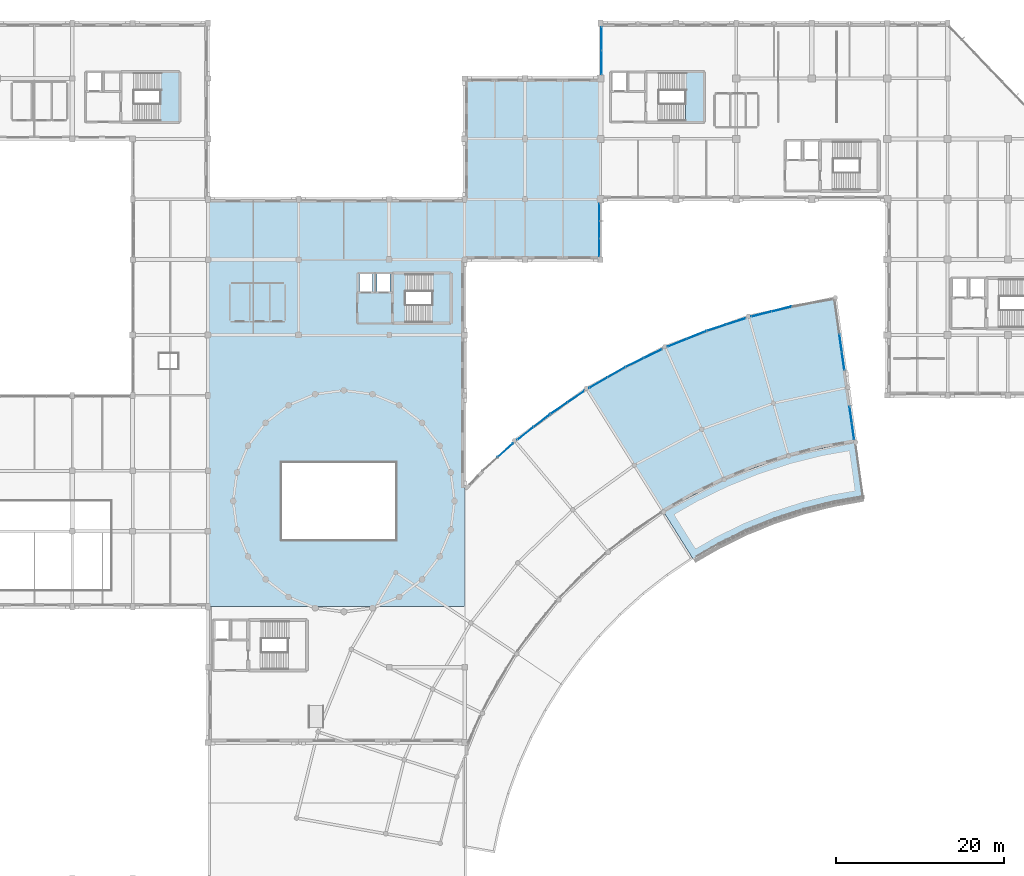
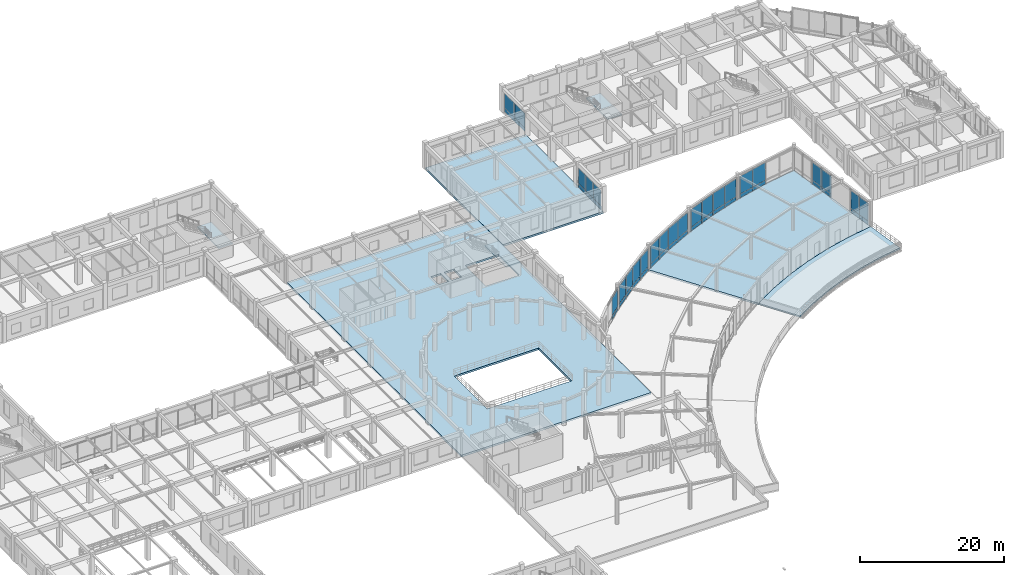
# One storey, part 33 of 62: 48 plates, 7 slabs, 15 elements without a shape of their own.
"""IFC4 building model written with IfcOpenShell, lengths in metres."""

from ifc_helpers import new_model, si_unit, direction, frame, frame_2d, origin, place, context, subcontext, project, spatial, polyline, rectangle, outline, extrude, material, layer, layer_set, type_object, element, aggregate, save


model = new_model("IFC4")

# Units and contexts
model_context = context("Model", 3, precision=1e-05, world=origin(), true_north=direction((0.0, 1.0)))
body_context = subcontext(model_context, "Body", "Model", "MODEL_VIEW")
ifc_project = project(units=[si_unit("LENGTHUNIT", "METRE"), si_unit("AREAUNIT", "SQUARE_METRE"), si_unit("VOLUMEUNIT", "CUBIC_METRE"), si_unit("PLANEANGLEUNIT", "RADIAN"), si_unit("MASSUNIT", "GRAM", prefix="KILO")], contexts=[model_context])

# Site, building, storey
site_placement = place(None, origin())
site = spatial("IfcSite", under=ifc_project, at=site_placement, CompositionType="ELEMENT")
building_placement = place(site_placement, origin())
building = spatial("IfcBuilding", under=site, at=building_placement, Name="Clarverna Civic Hall", CompositionType="ELEMENT")
storey_placement = place(building_placement, frame((0.0, 0.0, 5.10009765625)))
storey = spatial("IfcBuildingStorey", under=building, at=storey_placement, Name="L01", CompositionType="ELEMENT", Elevation=5.10009765625)

# Curtain wall, plates
ifc_material_1 = material(Name="Anodised Bronze Architectural Aluminium", Category="aluminium")
curtain_wall_type_1 = type_object("IfcCurtainWallType", Name="CW-01", PredefinedType="USERDEFINED", material=ifc_material_1)
curtain_wall_1_placement = place(storey_placement, origin())
curtain_wall_1 = element("IfcCurtainWall", 1, at=curtain_wall_1_placement, inside=storey, type_object=curtain_wall_type_1, Name="CW-01-001", ObjectType="UNITISED CURTAIN WALL", PredefinedType="USERDEFINED")
ifc_material_2 = material(Name="Solar-Control Argon Low-E Double Glazing", Category="glass")
ifc_layer_1 = layer(ifc_material_2, 0.031982421875)
ifc_layer_set_1 = layer_set([ifc_layer_1], Name="Solar-Control Argon Low-E Double Glazing")
plate_type_1 = type_object("IfcPlateType", Name="CWP-01", PredefinedType="CURTAIN_PANEL", material=ifc_layer_set_1)
plate_1_placement = place(storey_placement, frame((113.5400390625, 109.9130859375, 0.764892578125), z_axis=(0.0, 0.0, 1.0), x_axis=(0.0, 1.0, 0.0)))
plate_1 = element("IfcPlate", 2, at=plate_1_placement, type_object=plate_type_1, Name="CWP-01-103", PredefinedType="CURTAIN_PANEL", context=body_context, shape_type="SweptSolid", body=[
    extrude(rectangle(XDim=2.796875, YDim=0.031982421875, at=frame_2d((1.3984375, 0.0))), origin(), (0.0, 0.0, 1.0), 2.445068359375),
])
plate_2_placement = place(storey_placement, frame((113.5400390625, 112.739990234375, 0.764892578125), z_axis=(0.0, 0.0, 1.0), x_axis=(0.0, 1.0, 0.0)))
plate_2 = element("IfcPlate", 3, at=plate_2_placement, type_object=plate_type_1, Name="CWP-01-104", PredefinedType="CURTAIN_PANEL", context=body_context, shape_type="SweptSolid", body=[
    extrude(rectangle(XDim=2.797119140625, YDim=0.031982421875, at=frame_2d((1.3984375, 0.0))), origin(), (0.0, 0.0, 1.0), 2.445068359375),
])

curtain_wall_2_placement = place(storey_placement, origin())
curtain_wall_2 = element("IfcCurtainWall", 4, at=curtain_wall_2_placement, inside=storey, type_object=curtain_wall_type_1, Name="CW-01-014", ObjectType="UNITISED CURTAIN WALL", PredefinedType="USERDEFINED")
plate_3_placement = place(storey_placement, frame((113.260009765625, 94.487060546875, 0.764892578125), z_axis=(0.0, 0.0, 1.0), x_axis=(0.0, -1.0, 0.0)))
plate_3 = element("IfcPlate", 5, at=plate_3_placement, type_object=plate_type_1, Name="CWP-01-129", PredefinedType="CURTAIN_PANEL", context=body_context, shape_type="SweptSolid", body=[
    extrude(rectangle(XDim=2.0712890625, YDim=0.031982421875, at=frame_2d((1.03564453125, 0.0))), origin(), (0.0, 0.0, 1.0), 2.625),
])
plate_4_placement = place(storey_placement, frame((113.260009765625, 92.3857421875, 0.764892578125), z_axis=(0.0, 0.0, 1.0), x_axis=(0.0, -1.0, 0.0)))
plate_4 = element("IfcPlate", 6, at=plate_4_placement, type_object=plate_type_1, Name="CWP-01-130", PredefinedType="CURTAIN_PANEL", context=body_context, shape_type="SweptSolid", body=[
    extrude(rectangle(XDim=2.071533203125, YDim=0.031982421875, at=frame_2d((1.03564453125, 0.0))), origin(), (0.0, 0.0, 1.0), 2.625),
])
plate_5_placement = place(storey_placement, frame((113.260009765625, 90.2841796875, 0.764892578125), z_axis=(0.0, 0.0, 1.0), x_axis=(0.0, -1.0, 0.0)))
plate_5 = element("IfcPlate", 7, at=plate_5_placement, type_object=plate_type_1, Name="CWP-01-131", PredefinedType="CURTAIN_PANEL", context=body_context, shape_type="SweptSolid", body=[
    extrude(rectangle(XDim=2.0712890625, YDim=0.031982421875, at=frame_2d((1.03564453125, 0.0))), origin(), (0.0, 0.0, 1.0), 2.625),
])

# Curtain wall, plate
curtain_wall_type_2 = type_object("IfcCurtainWallType", Name="CW-03", PredefinedType="USERDEFINED", material=ifc_material_1)
curtain_wall_3_placement = place(storey_placement, origin())
curtain_wall_3 = element("IfcCurtainWall", 8, at=curtain_wall_3_placement, inside=storey, type_object=curtain_wall_type_2, Name="CW-03-027", ObjectType="UNITISED CURTAIN WALL", PredefinedType="USERDEFINED")
plate_6_placement = place(storey_placement, frame((101.164794921875, 64.2451171875, 0.764892578125), z_axis=(0.0, 0.0, 1.0), x_axis=(0.743134378248, 0.669142209001, 0.0)))
plate_6 = element("IfcPlate", 9, at=plate_6_placement, type_object=plate_type_1, Name="CWP-01-133", PredefinedType="CURTAIN_PANEL", context=body_context, shape_type="SweptSolid", body=[
    extrude(rectangle(XDim=2.431884765625, YDim=0.031982421875, at=frame_2d((1.2158203125, 0.0))), origin(), (0.0, 0.0, 1.0), 3.014892578125),
])

# Curtain wall, plates
curtain_wall_4_placement = place(storey_placement, origin())
curtain_wall_4 = element("IfcCurtainWall", 10, at=curtain_wall_4_placement, inside=storey, type_object=curtain_wall_type_2, Name="CW-03-028", ObjectType="UNITISED CURTAIN WALL", PredefinedType="USERDEFINED")
plate_7_placement = place(storey_placement, frame((103.5009765625, 66.3173828125, 0.764892578125), z_axis=(0.0, 0.0, 1.0), x_axis=(0.787989543088, 0.615688622588, 0.0)))
plate_7 = element("IfcPlate", 11, at=plate_7_placement, type_object=plate_type_1, Name="CWP-01-134", PredefinedType="CURTAIN_PANEL", context=body_context, shape_type="SweptSolid", body=[
    extrude(rectangle(XDim=2.4443359375, YDim=0.031982421875, at=frame_2d((1.22216796875, 0.0))), origin(), (0.0, 0.0, 1.0), 3.014892578125),
])
plate_8_placement = place(storey_placement, frame((105.45068359375, 67.8408203125, 0.764892578125), z_axis=(0.0, 0.0, 1.0), x_axis=(0.788038003256, 0.615626595774, 0.0)))
plate_8 = element("IfcPlate", 12, at=plate_8_placement, type_object=plate_type_1, Name="CWP-01-135", PredefinedType="CURTAIN_PANEL", context=body_context, shape_type="SweptSolid", body=[
    extrude(rectangle(XDim=2.444091796875, YDim=0.031982421875, at=frame_2d((1.22216796875, 0.0))), origin(), (0.0, 0.0, 1.0), 3.014892578125),
])

curtain_wall_5_placement = place(storey_placement, origin())
curtain_wall_5 = element("IfcCurtainWall", 13, at=curtain_wall_5_placement, inside=storey, type_object=curtain_wall_type_2, Name="CW-03-029", ObjectType="UNITISED CURTAIN WALL", PredefinedType="USERDEFINED")
plate_9_placement = place(storey_placement, frame((107.4462890625, 69.39599609375, 0.764892578125), z_axis=(0.0, 0.0, 1.0), x_axis=(0.82901646408, 0.559224196798, 0.0)))
plate_9 = element("IfcPlate", 14, at=plate_9_placement, type_object=plate_type_1, Name="CWP-01-136", PredefinedType="CURTAIN_PANEL", context=body_context, shape_type="SweptSolid", body=[
    extrude(rectangle(XDim=2.41162109375, YDim=0.031982421875, at=frame_2d((1.205810546875, 0.0))), origin(), (0.0, 0.0, 1.0), 3.014892578125),
])
plate_10_placement = place(storey_placement, frame((109.470458984375, 70.76123046875, 0.764892578125), z_axis=(0.0, 0.0, 1.0), x_axis=(0.82901646408, 0.559224196798, 0.0)))
plate_10 = element("IfcPlate", 15, at=plate_10_placement, type_object=plate_type_1, Name="CWP-01-137", PredefinedType="CURTAIN_PANEL", context=body_context, shape_type="SweptSolid", body=[
    extrude(rectangle(XDim=2.41162109375, YDim=0.031982421875, at=frame_2d((1.205810546875, 0.0))), origin(), (0.0, 0.0, 1.0), 3.014892578125),
])

curtain_wall_6_placement = place(storey_placement, origin())
curtain_wall_6 = element("IfcCurtainWall", 16, at=curtain_wall_6_placement, inside=storey, type_object=curtain_wall_type_2, Name="CW-03-030", ObjectType="UNITISED CURTAIN WALL", PredefinedType="USERDEFINED")
plate_11_placement = place(storey_placement, frame((112.082763671875, 72.495849609375, 0.764892578125), z_axis=(0.0, 0.0, 1.0), x_axis=(0.86598793266, 0.500064896275, 0.0)))
plate_11 = element("IfcPlate", 17, at=plate_11_placement, type_object=plate_type_1, Name="CWP-01-138", PredefinedType="CURTAIN_PANEL", context=body_context, shape_type="SweptSolid", body=[
    extrude(rectangle(XDim=2.447998046875, YDim=0.031982421875, at=frame_2d((1.22412109375, 0.0))), origin(), (0.0, 0.0, 1.0), 3.014892578125),
])
plate_12_placement = place(storey_placement, frame((114.228515625, 73.73486328125, 0.764892578125), z_axis=(0.0, 0.0, 1.0), x_axis=(0.866056051747, 0.499946912414, 0.0)))
plate_12 = element("IfcPlate", 18, at=plate_12_placement, type_object=plate_type_1, Name="CWP-01-139", PredefinedType="CURTAIN_PANEL", context=body_context, shape_type="SweptSolid", body=[
    extrude(rectangle(XDim=2.447998046875, YDim=0.031982421875, at=frame_2d((1.22412109375, 0.0))), origin(), (0.0, 0.0, 1.0), 3.014892578125),
])

curtain_wall_7_placement = place(storey_placement, origin())
curtain_wall_7 = element("IfcCurtainWall", 19, at=curtain_wall_7_placement, inside=storey, type_object=curtain_wall_type_2, Name="CW-03-031", ObjectType="UNITISED CURTAIN WALL", PredefinedType="USERDEFINED")
plate_13_placement = place(storey_placement, frame((116.4248046875, 74.999267578125, 0.764892578125), z_axis=(0.0, 0.0, 1.0), x_axis=(0.898795065251, 0.438369057621, 0.0)))
plate_13 = element("IfcPlate", 20, at=plate_13_placement, type_object=plate_type_1, Name="CWP-01-140", PredefinedType="CURTAIN_PANEL", context=body_context, shape_type="SweptSolid", body=[
    extrude(rectangle(XDim=2.379638671875, YDim=0.031982421875, at=frame_2d((1.18994140625, 0.0))), origin(), (0.0, 0.0, 1.0), 3.014892578125),
])
plate_14_placement = place(storey_placement, frame((118.5908203125, 76.0556640625, 0.764892578125), z_axis=(0.0, 0.0, 1.0), x_axis=(0.898754642201, 0.43845192795, 0.0)))
plate_14 = element("IfcPlate", 21, at=plate_14_placement, type_object=plate_type_1, Name="CWP-01-141", PredefinedType="CURTAIN_PANEL", context=body_context, shape_type="SweptSolid", body=[
    extrude(rectangle(XDim=2.3798828125, YDim=0.031982421875, at=frame_2d((1.18994140625, 0.0))), origin(), (0.0, 0.0, 1.0), 3.014892578125),
])

curtain_wall_8_placement = place(storey_placement, origin())
curtain_wall_8 = element("IfcCurtainWall", 22, at=curtain_wall_8_placement, inside=storey, type_object=curtain_wall_type_2, Name="CW-03-032", ObjectType="UNITISED CURTAIN WALL", PredefinedType="USERDEFINED")
plate_15_placement = place(storey_placement, frame((121.447509765625, 77.423828125, 0.764892578125), z_axis=(0.0, 0.0, 1.0), x_axis=(0.927177888864, 0.37462135871, 0.0)))
plate_15 = element("IfcPlate", 23, at=plate_15_placement, type_object=plate_type_1, Name="CWP-01-142", PredefinedType="CURTAIN_PANEL", context=body_context, shape_type="SweptSolid", body=[
    extrude(rectangle(XDim=2.44775390625, YDim=0.031982421875, at=frame_2d((1.223876953125, 0.0))), origin(), (0.0, 0.0, 1.0), 3.014892578125),
])
plate_16_placement = place(storey_placement, frame((123.744873046875, 78.351806640625, 0.764892578125), z_axis=(0.0, 0.0, 1.0), x_axis=(0.927177888864, 0.37462135871, 0.0)))
plate_16 = element("IfcPlate", 24, at=plate_16_placement, type_object=plate_type_1, Name="CWP-01-143", PredefinedType="CURTAIN_PANEL", context=body_context, shape_type="SweptSolid", body=[
    extrude(rectangle(XDim=2.44775390625, YDim=0.031982421875, at=frame_2d((1.223876953125, 0.0))), origin(), (0.0, 0.0, 1.0), 3.014892578125),
])

curtain_wall_9_placement = place(storey_placement, origin())
curtain_wall_9 = element("IfcCurtainWall", 25, at=curtain_wall_9_placement, inside=storey, type_object=curtain_wall_type_2, Name="CW-03-033", ObjectType="UNITISED CURTAIN WALL", PredefinedType="USERDEFINED")
plate_17_placement = place(storey_placement, frame((126.095458984375, 79.29833984375, 0.764892578125), z_axis=(0.0, 0.0, 1.0), x_axis=(0.951055736875, 0.309019393175, 0.0)))
plate_17 = element("IfcPlate", 26, at=plate_17_placement, type_object=plate_type_1, Name="CWP-01-144", PredefinedType="CURTAIN_PANEL", context=body_context, shape_type="SweptSolid", body=[
    extrude(rectangle(XDim=2.40087890625, YDim=0.031982421875, at=frame_2d((1.200439453125, 0.0))), origin(), (0.0, 0.0, 1.0), 3.014892578125),
])
plate_18_placement = place(storey_placement, frame((128.407470703125, 80.049560546875, 0.764892578125), z_axis=(0.0, 0.0, 1.0), x_axis=(0.951055736875, 0.309019393175, 0.0)))
plate_18 = element("IfcPlate", 27, at=plate_18_placement, type_object=plate_type_1, Name="CWP-01-145", PredefinedType="CURTAIN_PANEL", context=body_context, shape_type="SweptSolid", body=[
    extrude(rectangle(XDim=2.40087890625, YDim=0.031982421875, at=frame_2d((1.200439453125, 0.0))), origin(), (0.0, 0.0, 1.0), 3.014892578125),
])

curtain_wall_10_placement = place(storey_placement, origin())
curtain_wall_10 = element("IfcCurtainWall", 28, at=curtain_wall_10_placement, inside=storey, type_object=curtain_wall_type_2, Name="CW-03-034", ObjectType="UNITISED CURTAIN WALL", PredefinedType="USERDEFINED")
plate_19_placement = place(storey_placement, frame((131.4130859375, 81.001708984375, 0.764892578125), z_axis=(0.0, 0.0, 1.0), x_axis=(0.970277473447, 0.241995091936, 0.0)))
plate_19 = element("IfcPlate", 29, at=plate_19_placement, type_object=plate_type_1, Name="CWP-01-146", PredefinedType="CURTAIN_PANEL", context=body_context, shape_type="SweptSolid", body=[
    extrude(rectangle(XDim=2.444580078125, YDim=0.031982421875, at=frame_2d((1.22216796875, 0.0))), origin(), (0.0, 0.0, 1.0), 3.014892578125),
])
plate_20_placement = place(storey_placement, frame((133.814208984375, 81.600341796875, 0.764892578125), z_axis=(0.0, 0.0, 1.0), x_axis=(0.970277473447, 0.241995091936, 0.0)))
plate_20 = element("IfcPlate", 30, at=plate_20_placement, type_object=plate_type_1, Name="CWP-01-147", PredefinedType="CURTAIN_PANEL", context=body_context, shape_type="SweptSolid", body=[
    extrude(rectangle(XDim=2.444580078125, YDim=0.031982421875, at=frame_2d((1.22216796875, 0.0))), origin(), (0.0, 0.0, 1.0), 3.014892578125),
])

curtain_wall_11_placement = place(storey_placement, origin())
curtain_wall_11 = element("IfcCurtainWall", 31, at=curtain_wall_11_placement, inside=storey, type_object=curtain_wall_type_2, Name="CW-03-037", ObjectType="UNITISED CURTAIN WALL", PredefinedType="USERDEFINED")
plate_21_placement = place(storey_placement, frame((141.896240234375, 78.885498046875, 0.764892578125), z_axis=(0.0, 0.0, 1.0), x_axis=(0.139187522113, -0.990266041874, 0.0)))
plate_21 = element("IfcPlate", 32, at=plate_21_placement, type_object=plate_type_1, Name="CWP-01-152", PredefinedType="CURTAIN_PANEL", context=body_context, shape_type="SweptSolid", body=[
    extrude(rectangle(XDim=2.11181640625, YDim=0.031982421875, at=frame_2d((1.055908203125, 0.0))), origin(), (0.0, 0.0, 1.0), 3.034912109375),
])
plate_22_placement = place(storey_placement, frame((142.1943359375, 76.764404296875, 0.764892578125), z_axis=(0.0, 0.0, 1.0), x_axis=(0.139187522113, -0.990266041874, 0.0)))
plate_22 = element("IfcPlate", 33, at=plate_22_placement, type_object=plate_type_1, Name="CWP-01-153", PredefinedType="CURTAIN_PANEL", context=body_context, shape_type="SweptSolid", body=[
    extrude(rectangle(XDim=2.11181640625, YDim=0.031982421875, at=frame_2d((1.055908203125, 0.0))), origin(), (0.0, 0.0, 1.0), 3.034912109375),
])

curtain_wall_12_placement = place(storey_placement, origin())
curtain_wall_12 = element("IfcCurtainWall", 34, at=curtain_wall_12_placement, inside=storey, type_object=curtain_wall_type_2, Name="CW-03-038", ObjectType="UNITISED CURTAIN WALL", PredefinedType="USERDEFINED")
plate_23_placement = place(storey_placement, frame((143.107177734375, 70.270263671875, 0.764892578125), z_axis=(0.0, 0.0, 1.0), x_axis=(0.139222102315, -0.990261180814, 0.0)))
plate_23 = element("IfcPlate", 35, at=plate_23_placement, type_object=plate_type_1, Name="CWP-01-154", PredefinedType="CURTAIN_PANEL", context=body_context, shape_type="SweptSolid", body=[
    extrude(rectangle(XDim=1.943115234375, YDim=0.031982421875, at=frame_2d((0.9716796875, 0.0))), origin(), (0.0, 0.0, 1.0), 3.034912109375),
])
plate_24_placement = place(storey_placement, frame((143.3818359375, 68.31640625, 0.764892578125), z_axis=(0.0, 0.0, 1.0), x_axis=(0.139098882847, -0.990278496581, 0.0)))
plate_24 = element("IfcPlate", 36, at=plate_24_placement, type_object=plate_type_1, Name="CWP-01-155", PredefinedType="CURTAIN_PANEL", context=body_context, shape_type="SweptSolid", body=[
    extrude(rectangle(XDim=1.94287109375, YDim=0.031982421875, at=frame_2d((0.971435546875, 0.0))), origin(), (0.0, 0.0, 1.0), 3.034912109375),
])

# Plate
ifc_material_3 = material(Name="Insulated Anodised Bronze Spandrel Panel", Category="aluminium")
ifc_layer_2 = layer(ifc_material_3, 0.048095703125)
ifc_layer_set_2 = layer_set([ifc_layer_2], Name="Insulated Anodised Bronze Spandrel Panel")
plate_type_2 = type_object("IfcPlateType", Name="CWP-03", PredefinedType="CURTAIN_PANEL", material=ifc_layer_set_2)
plate_25_placement = place(storey_placement, frame((113.5400390625, 109.9130859375, 0.10986328125), z_axis=(0.0, 0.0, 1.0), x_axis=(0.0, 1.0, 0.0)))
plate_25 = element("IfcPlate", 37, at=plate_25_placement, type_object=plate_type_2, Name="CWP-03-105", PredefinedType="CURTAIN_PANEL", context=body_context, shape_type="SweptSolid", body=[
    extrude(rectangle(XDim=2.796875, YDim=0.048095703125, at=frame_2d((1.3984375, 0.0))), origin(), (0.0, 0.0, 1.0), 0.625),
])

plate_26_placement = place(storey_placement, frame((113.5400390625, 112.739990234375, 0.10986328125), z_axis=(0.0, 0.0, 1.0), x_axis=(0.0, 1.0, 0.0)))
plate_26 = element("IfcPlate", 38, at=plate_26_placement, type_object=plate_type_2, Name="CWP-03-106", PredefinedType="CURTAIN_PANEL", context=body_context, shape_type="SweptSolid", body=[
    extrude(rectangle(XDim=2.797119140625, YDim=0.048095703125, at=frame_2d((1.3984375, 0.0))), origin(), (0.0, 0.0, 1.0), 0.625),
])

aggregate(curtain_wall_1, [plate_25, plate_1, plate_26, plate_2])

plate_27_placement = place(storey_placement, frame((113.260009765625, 94.487060546875, 0.10986328125), z_axis=(0.0, 0.0, 1.0), x_axis=(0.0, -1.0, 0.0)))
plate_27 = element("IfcPlate", 39, at=plate_27_placement, type_object=plate_type_2, Name="CWP-03-131", PredefinedType="CURTAIN_PANEL", context=body_context, shape_type="SweptSolid", body=[
    extrude(rectangle(XDim=2.0712890625, YDim=0.048095703125, at=frame_2d((1.03564453125, 0.0))), origin(), (0.0, 0.0, 1.0), 0.625),
])

plate_28_placement = place(storey_placement, frame((113.260009765625, 92.3857421875, 0.10986328125), z_axis=(0.0, 0.0, 1.0), x_axis=(0.0, -1.0, 0.0)))
plate_28 = element("IfcPlate", 40, at=plate_28_placement, type_object=plate_type_2, Name="CWP-03-132", PredefinedType="CURTAIN_PANEL", context=body_context, shape_type="SweptSolid", body=[
    extrude(rectangle(XDim=2.071533203125, YDim=0.048095703125, at=frame_2d((1.03564453125, 0.0))), origin(), (0.0, 0.0, 1.0), 0.625),
])

plate_29_placement = place(storey_placement, frame((113.260009765625, 90.2841796875, 0.10986328125), z_axis=(0.0, 0.0, 1.0), x_axis=(0.0, -1.0, 0.0)))
plate_29 = element("IfcPlate", 41, at=plate_29_placement, type_object=plate_type_2, Name="CWP-03-133", PredefinedType="CURTAIN_PANEL", context=body_context, shape_type="SweptSolid", body=[
    extrude(rectangle(XDim=2.0712890625, YDim=0.048095703125, at=frame_2d((1.03564453125, 0.0))), origin(), (0.0, 0.0, 1.0), 0.625),
])

aggregate(curtain_wall_2, [plate_27, plate_3, plate_28, plate_4, plate_29, plate_5])

plate_30_placement = place(storey_placement, frame((101.164794921875, 64.2451171875, 0.10986328125), z_axis=(0.0, 0.0, 1.0), x_axis=(0.743134378248, 0.669142209001, 0.0)))
plate_30 = element("IfcPlate", 42, at=plate_30_placement, type_object=plate_type_2, Name="CWP-03-135", PredefinedType="CURTAIN_PANEL", context=body_context, shape_type="SweptSolid", body=[
    extrude(rectangle(XDim=2.431884765625, YDim=0.048095703125, at=frame_2d((1.2158203125, 0.0))), origin(), (0.0, 0.0, 1.0), 0.625),
])

aggregate(curtain_wall_3, [plate_30, plate_6])

plate_31_placement = place(storey_placement, frame((103.5009765625, 66.3173828125, 0.10986328125), z_axis=(0.0, 0.0, 1.0), x_axis=(0.787989543088, 0.615688622588, 0.0)))
plate_31 = element("IfcPlate", 43, at=plate_31_placement, type_object=plate_type_2, Name="CWP-03-136", PredefinedType="CURTAIN_PANEL", context=body_context, shape_type="SweptSolid", body=[
    extrude(rectangle(XDim=2.4443359375, YDim=0.048095703125, at=frame_2d((1.22216796875, 0.0))), origin(), (0.0, 0.0, 1.0), 0.625),
])

plate_32_placement = place(storey_placement, frame((105.45068359375, 67.8408203125, 0.10986328125), z_axis=(0.0, 0.0, 1.0), x_axis=(0.788038003256, 0.615626595774, 0.0)))
plate_32 = element("IfcPlate", 44, at=plate_32_placement, type_object=plate_type_2, Name="CWP-03-137", PredefinedType="CURTAIN_PANEL", context=body_context, shape_type="SweptSolid", body=[
    extrude(rectangle(XDim=2.444091796875, YDim=0.048095703125, at=frame_2d((1.22216796875, 0.0))), origin(), (0.0, 0.0, 1.0), 0.625),
])

aggregate(curtain_wall_4, [plate_31, plate_7, plate_32, plate_8])

plate_33_placement = place(storey_placement, frame((107.4462890625, 69.39599609375, 0.10986328125), z_axis=(0.0, 0.0, 1.0), x_axis=(0.82901646408, 0.559224196798, 0.0)))
plate_33 = element("IfcPlate", 45, at=plate_33_placement, type_object=plate_type_2, Name="CWP-03-138", PredefinedType="CURTAIN_PANEL", context=body_context, shape_type="SweptSolid", body=[
    extrude(rectangle(XDim=2.41162109375, YDim=0.048095703125, at=frame_2d((1.205810546875, 0.0))), origin(), (0.0, 0.0, 1.0), 0.625),
])

plate_34_placement = place(storey_placement, frame((109.470458984375, 70.76123046875, 0.10986328125), z_axis=(0.0, 0.0, 1.0), x_axis=(0.82901646408, 0.559224196798, 0.0)))
plate_34 = element("IfcPlate", 46, at=plate_34_placement, type_object=plate_type_2, Name="CWP-03-139", PredefinedType="CURTAIN_PANEL", context=body_context, shape_type="SweptSolid", body=[
    extrude(rectangle(XDim=2.41162109375, YDim=0.048095703125, at=frame_2d((1.205810546875, 0.0))), origin(), (0.0, 0.0, 1.0), 0.625),
])

aggregate(curtain_wall_5, [plate_33, plate_9, plate_34, plate_10])

plate_35_placement = place(storey_placement, frame((112.082763671875, 72.495849609375, 0.10986328125), z_axis=(0.0, 0.0, 1.0), x_axis=(0.86598793266, 0.500064896275, 0.0)))
plate_35 = element("IfcPlate", 47, at=plate_35_placement, type_object=plate_type_2, Name="CWP-03-140", PredefinedType="CURTAIN_PANEL", context=body_context, shape_type="SweptSolid", body=[
    extrude(rectangle(XDim=2.447998046875, YDim=0.048095703125, at=frame_2d((1.22412109375, 0.0))), origin(), (0.0, 0.0, 1.0), 0.625),
])

plate_36_placement = place(storey_placement, frame((114.228515625, 73.73486328125, 0.10986328125), z_axis=(0.0, 0.0, 1.0), x_axis=(0.866056051747, 0.499946912414, 0.0)))
plate_36 = element("IfcPlate", 48, at=plate_36_placement, type_object=plate_type_2, Name="CWP-03-141", PredefinedType="CURTAIN_PANEL", context=body_context, shape_type="SweptSolid", body=[
    extrude(rectangle(XDim=2.447998046875, YDim=0.048095703125, at=frame_2d((1.22412109375, 0.0))), origin(), (0.0, 0.0, 1.0), 0.625),
])

aggregate(curtain_wall_6, [plate_35, plate_11, plate_36, plate_12])

plate_37_placement = place(storey_placement, frame((116.4248046875, 74.999267578125, 0.10986328125), z_axis=(0.0, 0.0, 1.0), x_axis=(0.898795065251, 0.438369057621, 0.0)))
plate_37 = element("IfcPlate", 49, at=plate_37_placement, type_object=plate_type_2, Name="CWP-03-142", PredefinedType="CURTAIN_PANEL", context=body_context, shape_type="SweptSolid", body=[
    extrude(rectangle(XDim=2.379638671875, YDim=0.048095703125, at=frame_2d((1.18994140625, 0.0))), origin(), (0.0, 0.0, 1.0), 0.625),
])

plate_38_placement = place(storey_placement, frame((118.5908203125, 76.0556640625, 0.10986328125), z_axis=(0.0, 0.0, 1.0), x_axis=(0.898754642201, 0.43845192795, 0.0)))
plate_38 = element("IfcPlate", 50, at=plate_38_placement, type_object=plate_type_2, Name="CWP-03-143", PredefinedType="CURTAIN_PANEL", context=body_context, shape_type="SweptSolid", body=[
    extrude(rectangle(XDim=2.3798828125, YDim=0.048095703125, at=frame_2d((1.18994140625, 0.0))), origin(), (0.0, 0.0, 1.0), 0.625),
])

aggregate(curtain_wall_7, [plate_37, plate_13, plate_38, plate_14])

plate_39_placement = place(storey_placement, frame((121.447509765625, 77.423828125, 0.10986328125), z_axis=(0.0, 0.0, 1.0), x_axis=(0.927177888864, 0.37462135871, 0.0)))
plate_39 = element("IfcPlate", 51, at=plate_39_placement, type_object=plate_type_2, Name="CWP-03-144", PredefinedType="CURTAIN_PANEL", context=body_context, shape_type="SweptSolid", body=[
    extrude(rectangle(XDim=2.44775390625, YDim=0.048095703125, at=frame_2d((1.223876953125, 0.0))), origin(), (0.0, 0.0, 1.0), 0.625),
])

plate_40_placement = place(storey_placement, frame((123.744873046875, 78.351806640625, 0.10986328125), z_axis=(0.0, 0.0, 1.0), x_axis=(0.927177888864, 0.37462135871, 0.0)))
plate_40 = element("IfcPlate", 52, at=plate_40_placement, type_object=plate_type_2, Name="CWP-03-145", PredefinedType="CURTAIN_PANEL", context=body_context, shape_type="SweptSolid", body=[
    extrude(rectangle(XDim=2.44775390625, YDim=0.048095703125, at=frame_2d((1.223876953125, 0.0))), origin(), (0.0, 0.0, 1.0), 0.625),
])

aggregate(curtain_wall_8, [plate_39, plate_15, plate_40, plate_16])

plate_41_placement = place(storey_placement, frame((126.095458984375, 79.29833984375, 0.10986328125), z_axis=(0.0, 0.0, 1.0), x_axis=(0.951055736875, 0.309019393175, 0.0)))
plate_41 = element("IfcPlate", 53, at=plate_41_placement, type_object=plate_type_2, Name="CWP-03-146", PredefinedType="CURTAIN_PANEL", context=body_context, shape_type="SweptSolid", body=[
    extrude(rectangle(XDim=2.40087890625, YDim=0.048095703125, at=frame_2d((1.200439453125, 0.0))), origin(), (0.0, 0.0, 1.0), 0.625),
])

plate_42_placement = place(storey_placement, frame((128.407470703125, 80.049560546875, 0.10986328125), z_axis=(0.0, 0.0, 1.0), x_axis=(0.951055736875, 0.309019393175, 0.0)))
plate_42 = element("IfcPlate", 54, at=plate_42_placement, type_object=plate_type_2, Name="CWP-03-147", PredefinedType="CURTAIN_PANEL", context=body_context, shape_type="SweptSolid", body=[
    extrude(rectangle(XDim=2.40087890625, YDim=0.048095703125, at=frame_2d((1.200439453125, 0.0))), origin(), (0.0, 0.0, 1.0), 0.625),
])

aggregate(curtain_wall_9, [plate_41, plate_17, plate_42, plate_18])

plate_43_placement = place(storey_placement, frame((131.4130859375, 81.001708984375, 0.10986328125), z_axis=(0.0, 0.0, 1.0), x_axis=(0.970277473447, 0.241995091936, 0.0)))
plate_43 = element("IfcPlate", 55, at=plate_43_placement, type_object=plate_type_2, Name="CWP-03-148", PredefinedType="CURTAIN_PANEL", context=body_context, shape_type="SweptSolid", body=[
    extrude(rectangle(XDim=2.444580078125, YDim=0.048095703125, at=frame_2d((1.22216796875, 0.0))), origin(), (0.0, 0.0, 1.0), 0.625),
])

plate_44_placement = place(storey_placement, frame((133.814208984375, 81.600341796875, 0.10986328125), z_axis=(0.0, 0.0, 1.0), x_axis=(0.970277473447, 0.241995091936, 0.0)))
plate_44 = element("IfcPlate", 56, at=plate_44_placement, type_object=plate_type_2, Name="CWP-03-149", PredefinedType="CURTAIN_PANEL", context=body_context, shape_type="SweptSolid", body=[
    extrude(rectangle(XDim=2.444580078125, YDim=0.048095703125, at=frame_2d((1.22216796875, 0.0))), origin(), (0.0, 0.0, 1.0), 0.625),
])

aggregate(curtain_wall_10, [plate_43, plate_19, plate_44, plate_20])

plate_45_placement = place(storey_placement, frame((141.896240234375, 78.885498046875, 0.10986328125), z_axis=(0.0, 0.0, 1.0), x_axis=(0.139187522113, -0.990266041874, 0.0)))
plate_45 = element("IfcPlate", 57, at=plate_45_placement, type_object=plate_type_2, Name="CWP-03-154", PredefinedType="CURTAIN_PANEL", context=body_context, shape_type="SweptSolid", body=[
    extrude(rectangle(XDim=2.11181640625, YDim=0.048095703125, at=frame_2d((1.055908203125, 0.0))), origin(), (0.0, 0.0, 1.0), 0.625),
])

plate_46_placement = place(storey_placement, frame((142.1943359375, 76.764404296875, 0.10986328125), z_axis=(0.0, 0.0, 1.0), x_axis=(0.139187522113, -0.990266041874, 0.0)))
plate_46 = element("IfcPlate", 58, at=plate_46_placement, type_object=plate_type_2, Name="CWP-03-155", PredefinedType="CURTAIN_PANEL", context=body_context, shape_type="SweptSolid", body=[
    extrude(rectangle(XDim=2.11181640625, YDim=0.048095703125, at=frame_2d((1.055908203125, 0.0))), origin(), (0.0, 0.0, 1.0), 0.625),
])

aggregate(curtain_wall_11, [plate_45, plate_21, plate_46, plate_22])

plate_47_placement = place(storey_placement, frame((143.107177734375, 70.270263671875, 0.10986328125), z_axis=(0.0, 0.0, 1.0), x_axis=(0.139222102315, -0.990261180814, 0.0)))
plate_47 = element("IfcPlate", 59, at=plate_47_placement, type_object=plate_type_2, Name="CWP-03-156", PredefinedType="CURTAIN_PANEL", context=body_context, shape_type="SweptSolid", body=[
    extrude(rectangle(XDim=1.943115234375, YDim=0.048095703125, at=frame_2d((0.9716796875, 0.0))), origin(), (0.0, 0.0, 1.0), 0.625),
])

plate_48_placement = place(storey_placement, frame((143.3818359375, 68.31640625, 0.10986328125), z_axis=(0.0, 0.0, 1.0), x_axis=(0.139098882847, -0.990278496581, 0.0)))
plate_48 = element("IfcPlate", 60, at=plate_48_placement, type_object=plate_type_2, Name="CWP-03-157", PredefinedType="CURTAIN_PANEL", context=body_context, shape_type="SweptSolid", body=[
    extrude(rectangle(XDim=1.94287109375, YDim=0.048095703125, at=frame_2d((0.971435546875, 0.0))), origin(), (0.0, 0.0, 1.0), 0.625),
])

aggregate(curtain_wall_12, [plate_47, plate_23, plate_48, plate_24])

# Slabs
ifc_material_4 = material(Name="Concrete C30/37", Category="concrete")
ifc_layer_3 = layer(ifc_material_4, 0.320068359375)
ifc_layer_set_3 = layer_set([ifc_layer_3], Name="Concrete C30/37")
slab_type_1 = type_object("IfcSlabType", Name="SL-FL2", PredefinedType="FLOOR", material=ifc_layer_set_3)
slab_1_placement = place(storey_placement, frame((0.0, 0.0, -0.320068359375)))
element("IfcSlab", 61, at=slab_1_placement, inside=storey, type_object=slab_type_1, Name="SL-FL2-002", PredefinedType="FLOOR", context=body_context, shape_type="SweptSolid", body=[
    extrude(outline(polyline([(97.175048828125, 95.0), (66.625, 95.0), (66.625, 46.39990234375), (97.175048828125, 46.39990234375), (97.175048828125, 95.0)]), holes=[polyline([(75.39990234375, 54.39990234375), (89.0, 54.39990234375), (89.0, 63.60009765625), (75.39990234375, 63.60009765625), (75.39990234375, 54.39990234375)]), polyline([(90.14990234375, 80.320068359375), (95.550048828125, 80.320068359375), (95.550048828125, 86.080078125), (90.14990234375, 86.080078125), (90.14990234375, 80.320068359375)]), polyline([(84.669921875, 83.93994140625), (86.22998046875, 83.93994140625), (86.22998046875, 86.10009765625), (84.669921875, 86.10009765625), (84.669921875, 83.93994140625)]), polyline([(86.77001953125, 83.93994140625), (88.330078125, 83.93994140625), (88.330078125, 86.10009765625), (86.77001953125, 86.10009765625), (86.77001953125, 83.93994140625)])]), origin(), (0.0, 0.0, 1.0), 0.320068359375),
])
slab_2_placement = place(storey_placement, frame((0.0, 0.0, -0.320068359375)))
element("IfcSlab", 62, at=slab_2_placement, inside=storey, type_object=slab_type_1, Name="SL-FL2-003", PredefinedType="FLOOR", context=body_context, shape_type="SweptSolid", body=[
    extrude(outline(polyline([(113.39990234375, 109.39990234375), (97.22509765625, 109.39990234375), (97.22509765625, 87.800048828125), (113.39990234375, 87.800048828125), (113.39990234375, 95.0), (113.39990234375, 109.39990234375)])), origin(), (0.0, 0.0, 1.0), 0.320068359375),
])
slab_3_placement = place(storey_placement, frame((0.0, 0.0, -0.320068359375)))
element("IfcSlab", 63, at=slab_3_placement, inside=storey, type_object=slab_type_1, Name="SL-FL2-004", PredefinedType="FLOOR", context=body_context, shape_type="SweptSolid", body=[
    extrude(outline(polyline([(135.84765625, 64.329833984375), (139.81640625, 65.3193359375), (143.844482421875, 66.02978515625), (141.4228515625, 83.260498046875), (136.19873046875, 82.339111328125), (131.051513671875, 81.055908203125), (126.006591796875, 79.41650390625), (121.087890625, 77.429443359375), (116.3203125, 75.10400390625), (111.72607421875, 72.45166015625), (120.94677734375, 57.695556640625), (124.489013671875, 59.74072265625), (128.165283203125, 61.53369140625), (131.95751953125, 63.06591796875), (135.84765625, 64.329833984375)])), origin(), (0.0, 0.0, 1.0), 0.320068359375),
])

# Stair, slab
stair_type_1 = type_object("IfcStairType", Name="ST-U2", PredefinedType="HALF_TURN_STAIR", material=ifc_material_4)
stair_1_placement = place(storey_placement, origin())
stair_1 = element("IfcStair", 64, at=stair_1_placement, inside=storey, type_object=stair_type_1, Name="ST-U2:L01:0002", PredefinedType="HALF_TURN_STAIR")
ifc_layer_4 = layer(ifc_material_4, 0.199951171875)
ifc_layer_set_4 = layer_set([ifc_layer_4], Name="Concrete C30/37")
slab_type_2 = type_object("IfcSlabType", Name="SL-LD1", PredefinedType="LANDING", material=ifc_layer_set_4)
slab_4_placement = place(storey_placement, frame((0.0, 0.0, 2.0498046875)))
slab_4 = element("IfcSlab", 65, at=slab_4_placement, type_object=slab_type_2, Name="SL-LD1-019", PredefinedType="LANDING", context=body_context, shape_type="SweptSolid", body=[
    extrude(outline(polyline([(93.340087890625, 80.219970703125), (95.64990234375, 80.219970703125), (95.64990234375, 86.179931640625), (93.340087890625, 86.179931640625), (93.340087890625, 80.219970703125)])), origin(), (0.0, 0.0, 1.0), 0.2001953125),
])
aggregate(stair_1, [slab_4])

stair_type_2 = type_object("IfcStairType", Name="ST-U1", PredefinedType="HALF_TURN_STAIR", material=ifc_material_4)
stair_2_placement = place(storey_placement, origin())
stair_2 = element("IfcStair", 66, at=stair_2_placement, inside=storey, type_object=stair_type_2, Name="ST-U1:L01:0014", PredefinedType="HALF_TURN_STAIR")
slab_5_placement = place(storey_placement, frame((0.0, 0.0, 2.0498046875)))
slab_5 = element("IfcSlab", 67, at=slab_5_placement, type_object=slab_type_2, Name="SL-LD1-040", PredefinedType="LANDING", context=body_context, shape_type="SweptSolid", body=[
    extrude(outline(polyline([(123.5400390625, 104.219970703125), (125.85009765625, 104.219970703125), (125.85009765625, 110.179931640625), (123.5400390625, 110.179931640625), (123.5400390625, 104.219970703125)])), origin(), (0.0, 0.0, 1.0), 0.2001953125),
])
aggregate(stair_2, [slab_5])

stair_3_placement = place(storey_placement, origin())
stair_3 = element("IfcStair", 68, at=stair_3_placement, inside=storey, type_object=stair_type_2, Name="ST-U1:L01:0016", PredefinedType="HALF_TURN_STAIR")
slab_6_placement = place(storey_placement, frame((0.0, 0.0, 2.0498046875)))
slab_6 = element("IfcSlab", 69, at=slab_6_placement, type_object=slab_type_2, Name="SL-LD1-046", PredefinedType="LANDING", context=body_context, shape_type="SweptSolid", body=[
    extrude(outline(polyline([(60.93994140625, 104.219970703125), (63.25, 104.219970703125), (63.25, 110.179931640625), (60.93994140625, 110.179931640625), (60.93994140625, 104.219970703125)])), origin(), (0.0, 0.0, 1.0), 0.2001953125),
])
aggregate(stair_3, [slab_6])

# Slab
ifc_layer_5 = layer(ifc_material_4, 0.239990234375)
ifc_layer_set_5 = layer_set([ifc_layer_5], Name="Concrete C30/37")
slab_type_3 = type_object("IfcSlabType", Name="SL-TR1", PredefinedType="FLOOR", material=ifc_layer_set_5)
slab_7_placement = place(storey_placement, frame((0.0, 0.0, -0.239990234375)))
element("IfcSlab", 70, at=slab_7_placement, inside=storey, type_object=slab_type_3, Name="SL-TR1-001", PredefinedType="FLOOR", context=body_context, shape_type="SweptSolid", body=[
    extrude(outline(polyline([(137.6669921875, 57.985595703125), (141.188720703125, 58.86376953125), (144.762939453125, 59.493896484375), (143.844482421875, 66.02978515625), (139.81640625, 65.3193359375), (135.84765625, 64.329833984375), (131.95751953125, 63.06591796875), (128.165283203125, 61.53369140625), (124.489013671875, 59.74072265625), (120.94677734375, 57.695556640625), (124.444091796875, 52.098388671875), (127.58740234375, 53.913330078125), (130.849609375, 55.50439453125), (134.215087890625, 56.864013671875), (137.6669921875, 57.985595703125)])), origin(), (0.0, 0.0, 1.0), 0.239990234375),
])

save(model, "model.ifc")
